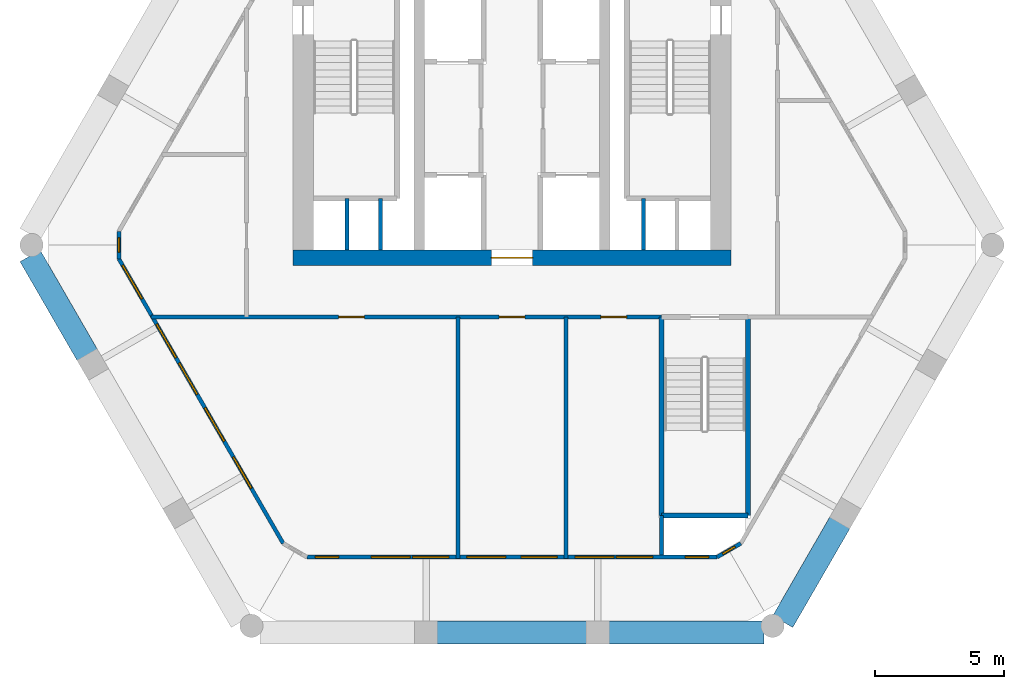
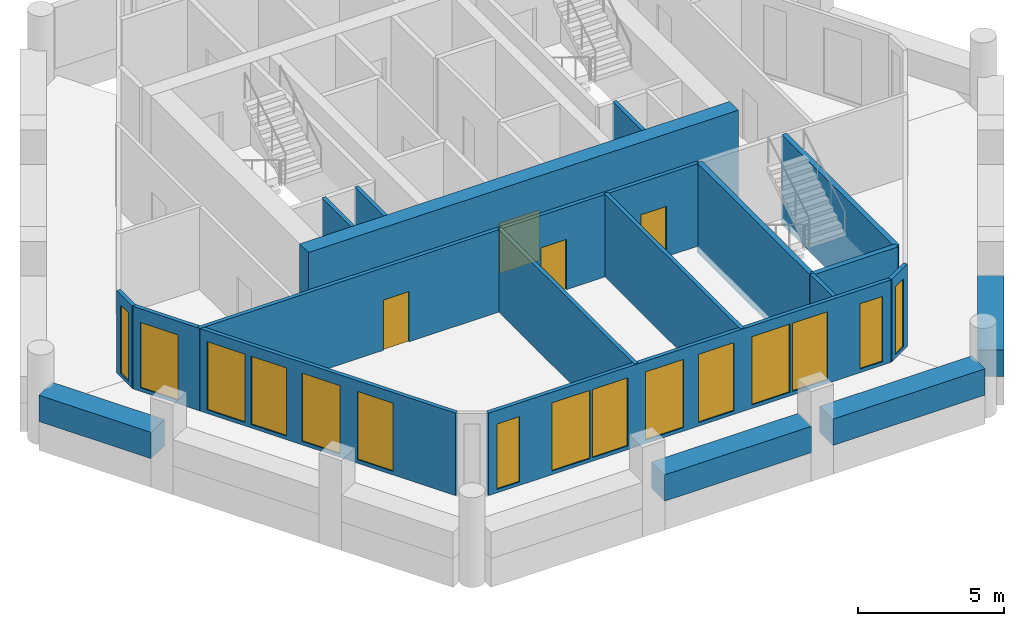
# One storey, part 2 of 6: 19 walls, 15 windows, 4 doors, 19 openings.
"""IFC4 building model written with IfcOpenShell, lengths in metres."""

from ifc_helpers import new_model, si_unit, direction, frame, frame_2d, origin, place, context, subcontext, project, spatial, rectangle, extrude, material, layer, layer_set, type_object, element, fill, save


model = new_model("IFC4")

# Units and contexts
model_context = context("Model", 3, precision=1e-05, world=origin(), true_north=direction((0.0, 1.0)))
body_context = subcontext(model_context, "Body", "Model", "MODEL_VIEW")
ifc_project = project(units=[si_unit("LENGTHUNIT", "METRE"), si_unit("AREAUNIT", "SQUARE_METRE"), si_unit("VOLUMEUNIT", "CUBIC_METRE"), si_unit("PLANEANGLEUNIT", "RADIAN"), si_unit("MASSUNIT", "GRAM", prefix="KILO")], contexts=[model_context])

# Site, building, storey
site_placement = place(None, origin())
site = spatial("IfcSite", under=ifc_project, at=site_placement, CompositionType="ELEMENT")
building_placement = place(site_placement, origin())
building = spatial("IfcBuilding", under=site, at=building_placement, Name="Ostrander Bayou Hotel Tower", CompositionType="ELEMENT")
storey_placement = place(building_placement, frame((0.0, 0.0, 260.0)))
storey = spatial("IfcBuildingStorey", under=building, at=storey_placement, Name="L64", CompositionType="ELEMENT", Elevation=260.0)

# Wall, opening, door
ifc_material_1 = material(Name="Concrete f'c 60 MPa", Category="concrete")
ifc_layer_1 = layer(ifc_material_1, 0.60009765625)
ifc_layer_set_1 = layer_set([ifc_layer_1], Name="CW10 core wall 600 mm f'c 60 MPa")
wall_type_1 = type_object("IfcWallType", Name="CW10 core wall 600 mm f'c 60 MPa", PredefinedType="SHEAR", material=ifc_layer_set_1)
wall_1_placement = place(storey_placement, frame((-8.5, -1.39990234375, -0.300048828125), z_axis=(0.0, 0.0, 1.0), x_axis=(1.0, 0.0, 0.0)))
wall_1 = element("IfcWall", 1, at=wall_1_placement, inside=storey, type_object=wall_type_1, Name="CW10 L64 S", PredefinedType="SHEAR", context=body_context, shape_type="SweptSolid", body=[
    extrude(rectangle(XDim=17.0, YDim=0.60009765625, at=frame_2d((8.5, 0.0))), origin(), (0.0, 0.0, 1.0), 3.75),
])
opening_1_placement = place(wall_1_placement, frame((7.699951171875, 0.0, 0.0)))
opening_1 = element("IfcOpeningElement", 2, at=opening_1_placement, cuts=wall_1, Name="Opening T63-005", PredefinedType="OPENING", context=body_context, shape_type="SweptSolid", body=[
    extrude(rectangle(XDim=1.60009765625, YDim=2.10009765625, at=frame_2d((0.800048828125, 1.050048828125))), frame((0.0, 0.300048828125, 0.0), z_axis=(0.0, -1.0, 0.0), x_axis=(1.0, 0.0, 0.0)), (0.0, 0.0, 1.0), 0.60009765625),
])
ifc_material_2 = material(Name="Timber door leaf", Category="wood")
door_type_1 = type_object("IfcDoorType", Name="D13 double door 1600 x 2100 mm, 1 hour", OperationType="SINGLE_SWING_LEFT", PredefinedType="DOOR", material=ifc_material_2)
door_1_placement = place(opening_1_placement, origin())
door_1 = element("IfcDoor", 3, at=door_1_placement, inside=storey, type_object=door_type_1, Name="dr:L64:005", OperationType="DOUBLE_DOOR_SINGLE_SWING", OverallHeight=2.10009765625, OverallWidth=1.60009765625, PredefinedType="DOOR", context=body_context, shape_type="SweptSolid", body=[
    extrude(rectangle(XDim=1.60009765625, YDim=2.10009765625, at=frame_2d((0.800048828125, 1.050048828125))), frame((0.0, 0.02490234375, 0.0), z_axis=(0.0, -1.0, 0.0), x_axis=(1.0, 0.0, 0.0)), (0.0, 0.0, 1.0), 0.050048828125),
])
fill(opening_1, door_1)

# Wall, openings, windows
ifc_material_3 = material(Name="Aluminium framed insulated wall", Category="aluminium")
ifc_layer_2 = layer(ifc_material_3, 0.14990234375)
ifc_layer_set_2 = layer_set([ifc_layer_2], Name="GW1 glass-line wall 150 mm")
wall_type_2 = type_object("IfcWallType", Name="GW1 glass-line wall 150 mm", PredefinedType="SOLIDWALL", material=ifc_layer_set_2)
wall_2_placement = place(storey_placement, frame((-15.245849609375, -1.443603515625, 0.0), z_axis=(0.0, 0.0, 1.0), x_axis=(0.500005990458, -0.866021945164, 0.0)))
wall_2 = element("IfcWall", 4, at=wall_2_placement, inside=storey, type_object=wall_type_2, Name="GW1 L64 SW 1", PredefinedType="SOLIDWALL", context=body_context, shape_type="SweptSolid", body=[
    extrude(rectangle(XDim=12.745361328125, YDim=0.14990234375, at=frame_2d((6.37255859375, 0.0))), origin(), (0.0, 0.0, 1.0), 3.449951171875),
])
opening_2_placement = place(wall_2_placement, frame((2.9296875, 0.0, 0.14990234375)))
opening_2 = element("IfcOpeningElement", 5, at=opening_2_placement, cuts=wall_2, Name="Opening W4", PredefinedType="OPENING", context=body_context, shape_type="SweptSolid", body=[
    extrude(rectangle(XDim=1.5, YDim=2.85009765625, at=frame_2d((0.75, 1.425048828125))), frame((0.0, 0.074951171875, 0.0), z_axis=(0.0, -1.0, 0.0), x_axis=(1.0, 0.0, 0.0)), (0.0, 0.0, 1.0), 0.14990234375),
])
opening_3_placement = place(wall_2_placement, frame((4.6728515625, 0.0, 0.14990234375)))
opening_3 = element("IfcOpeningElement", 6, at=opening_3_placement, cuts=wall_2, Name="Opening W14", PredefinedType="OPENING", context=body_context, shape_type="SweptSolid", body=[
    extrude(rectangle(XDim=1.39990234375, YDim=2.85009765625, at=frame_2d((0.699951171875, 1.425048828125))), frame((0.0, 0.074951171875, 0.0), z_axis=(0.0, -1.0, 0.0), x_axis=(1.0, 0.0, 0.0)), (0.0, 0.0, 1.0), 0.14990234375),
])
opening_4_placement = place(wall_2_placement, frame((6.6728515625, 0.0, 0.14990234375)))
opening_4 = element("IfcOpeningElement", 7, at=opening_4_placement, cuts=wall_2, Name="Opening W4", PredefinedType="OPENING", context=body_context, shape_type="SweptSolid", body=[
    extrude(rectangle(XDim=1.5, YDim=2.85009765625, at=frame_2d((0.75, 1.425048828125))), frame((0.0, 0.074951171875, 0.0), z_axis=(0.0, -1.0, 0.0), x_axis=(1.0, 0.0, 0.0)), (0.0, 0.0, 1.0), 0.14990234375),
])
opening_5_placement = place(wall_2_placement, frame((8.872802734375, 0.0, 0.14990234375)))
opening_5 = element("IfcOpeningElement", 8, at=opening_5_placement, cuts=wall_2, Name="Opening W14", PredefinedType="OPENING", context=body_context, shape_type="SweptSolid", body=[
    extrude(rectangle(XDim=1.39990234375, YDim=2.85009765625, at=frame_2d((0.699951171875, 1.425048828125))), frame((0.0, 0.074951171875, 0.0), z_axis=(0.0, -1.0, 0.0), x_axis=(1.0, 0.0, 0.0)), (0.0, 0.0, 1.0), 0.14990234375),
])
opening_6_placement = place(wall_2_placement, frame((0.286376953125, 0.0, 0.14990234375)))
opening_6 = element("IfcOpeningElement", 9, at=opening_6_placement, cuts=wall_2, Name="Opening W4", PredefinedType="OPENING", context=body_context, shape_type="SweptSolid", body=[
    extrude(rectangle(XDim=1.5, YDim=2.72998046875, at=frame_2d((0.75, 1.364990234375))), frame((0.0, 0.074951171875, 0.0), z_axis=(0.0, -1.0, 0.0), x_axis=(1.0, 0.0, 0.0)), (0.0, 0.0, 1.0), 0.14990234375),
])
ifc_material_4 = material(Name="Aluminium and clear glass", Category="aluminium")
window_type_1 = type_object("IfcWindowType", Name="W14 fixed window 1400 mm, bath bay, zone 4", PartitioningType="SINGLE_PANEL", PredefinedType="WINDOW", material=ifc_material_4)
window_1_placement = place(opening_3_placement, origin())
window_1 = element("IfcWindow", 10, at=window_1_placement, inside=storey, type_object=window_type_1, Name="W14 L64 SW 1", OverallHeight=2.85009765625, OverallWidth=1.39990234375, PartitioningType="SINGLE_PANEL", PredefinedType="WINDOW", context=body_context, shape_type="SweptSolid", body=[
    extrude(rectangle(XDim=1.39990234375, YDim=2.85009765625, at=frame_2d((0.699951171875, 1.425048828125))), frame((0.0, 0.030029296875, 0.0), z_axis=(0.0, -1.0, 0.0), x_axis=(1.0, 0.0, 0.0)), (0.0, 0.0, 1.0), 0.06005859375),
])
fill(opening_3, window_1)
window_2_placement = place(opening_5_placement, origin())
window_2 = element("IfcWindow", 11, at=window_2_placement, inside=storey, type_object=window_type_1, Name="W14 L64 SW 2", OverallHeight=2.85009765625, OverallWidth=1.39990234375, PartitioningType="SINGLE_PANEL", PredefinedType="WINDOW", context=body_context, shape_type="SweptSolid", body=[
    extrude(rectangle(XDim=1.39990234375, YDim=2.85009765625, at=frame_2d((0.699951171875, 1.425048828125))), frame((0.0, 0.030029296875, 0.0), z_axis=(0.0, -1.0, 0.0), x_axis=(1.0, 0.0, 0.0)), (0.0, 0.0, 1.0), 0.06005859375),
])
fill(opening_5, window_2)
ifc_material_5 = material(Name="Aluminium and clear glass", Category="aluminium")
window_type_2 = type_object("IfcWindowType", Name="W4 fixed window 1500 mm, zone 4", PartitioningType="SINGLE_PANEL", PredefinedType="WINDOW", material=ifc_material_5)
window_3_placement = place(opening_2_placement, origin())
window_3 = element("IfcWindow", 12, at=window_3_placement, inside=storey, type_object=window_type_2, Name="W4 L64 SW 1", OverallHeight=2.85009765625, OverallWidth=1.5, PartitioningType="SINGLE_PANEL", PredefinedType="WINDOW", context=body_context, shape_type="SweptSolid", body=[
    extrude(rectangle(XDim=1.5, YDim=2.85009765625, at=frame_2d((0.75, 1.425048828125))), frame((0.0, 0.030029296875, 0.0), z_axis=(0.0, -1.0, 0.0), x_axis=(1.0, 0.0, 0.0)), (0.0, 0.0, 1.0), 0.06005859375),
])
fill(opening_2, window_3)
window_4_placement = place(opening_4_placement, origin())
window_4 = element("IfcWindow", 13, at=window_4_placement, inside=storey, type_object=window_type_2, Name="W4 L64 SW 2", OverallHeight=2.85009765625, OverallWidth=1.5, PartitioningType="SINGLE_PANEL", PredefinedType="WINDOW", context=body_context, shape_type="SweptSolid", body=[
    extrude(rectangle(XDim=1.5, YDim=2.85009765625, at=frame_2d((0.75, 1.425048828125))), frame((0.0, 0.030029296875, 0.0), z_axis=(0.0, -1.0, 0.0), x_axis=(1.0, 0.0, 0.0)), (0.0, 0.0, 1.0), 0.06005859375),
])
fill(opening_4, window_4)
window_5_placement = place(opening_6_placement, origin())
window_5 = element("IfcWindow", 14, at=window_5_placement, inside=storey, type_object=window_type_2, Name="W4 L64 SW E11", OverallHeight=2.72998046875, OverallWidth=1.5, PartitioningType="SINGLE_PANEL", PredefinedType="WINDOW", context=body_context, shape_type="SweptSolid", body=[
    extrude(rectangle(XDim=1.5, YDim=2.72998046875, at=frame_2d((0.75, 1.364990234375))), frame((0.0, 0.030029296875, 0.0), z_axis=(0.0, -1.0, 0.0), x_axis=(1.0, 0.0, 0.0)), (0.0, 0.0, 1.0), 0.06005859375),
])
fill(opening_6, window_5)

wall_3_placement = place(storey_placement, frame((-7.95068359375, -13.013916015625, 0.0), z_axis=(0.0, 0.0, 1.0), x_axis=(1.0, 0.0, 0.0)))
wall_3 = element("IfcWall", 15, at=wall_3_placement, inside=storey, type_object=wall_type_2, Name="GW1 L64 S 1", PredefinedType="SOLIDWALL", context=body_context, shape_type="SweptSolid", body=[
    extrude(rectangle(XDim=15.9013671875, YDim=0.14990234375, at=frame_2d((7.95068359375, 0.0))), origin(), (0.0, 0.0, 1.0), 3.449951171875),
])
opening_7_placement = place(wall_3_placement, frame((2.500732421875, 0.0, 0.14990234375)))
opening_7 = element("IfcOpeningElement", 16, at=opening_7_placement, cuts=wall_3, Name="Opening W4", PredefinedType="OPENING", context=body_context, shape_type="SweptSolid", body=[
    extrude(rectangle(XDim=1.5, YDim=2.85009765625, at=frame_2d((0.75, 1.425048828125))), frame((0.0, 0.074951171875, 0.0), z_axis=(0.0, -1.0, 0.0), x_axis=(1.0, 0.0, 0.0)), (0.0, 0.0, 1.0), 0.14990234375),
])
opening_8_placement = place(wall_3_placement, frame((4.1005859375, 0.0, 0.14990234375)))
opening_8 = element("IfcOpeningElement", 17, at=opening_8_placement, cuts=wall_3, Name="Opening W14", PredefinedType="OPENING", context=body_context, shape_type="SweptSolid", body=[
    extrude(rectangle(XDim=1.39990234375, YDim=2.85009765625, at=frame_2d((0.699951171875, 1.425048828125))), frame((0.0, 0.074951171875, 0.0), z_axis=(0.0, -1.0, 0.0), x_axis=(1.0, 0.0, 0.0)), (0.0, 0.0, 1.0), 0.14990234375),
])
opening_9_placement = place(wall_3_placement, frame((6.20068359375, 0.0, 0.14990234375)))
opening_9 = element("IfcOpeningElement", 18, at=opening_9_placement, cuts=wall_3, Name="Opening W4", PredefinedType="OPENING", context=body_context, shape_type="SweptSolid", body=[
    extrude(rectangle(XDim=1.5, YDim=2.85009765625, at=frame_2d((0.75, 1.425048828125))), frame((0.0, 0.074951171875, 0.0), z_axis=(0.0, -1.0, 0.0), x_axis=(1.0, 0.0, 0.0)), (0.0, 0.0, 1.0), 0.14990234375),
])
opening_10_placement = place(wall_3_placement, frame((8.30078125, 0.0, 0.14990234375)))
opening_10 = element("IfcOpeningElement", 19, at=opening_10_placement, cuts=wall_3, Name="Opening W14", PredefinedType="OPENING", context=body_context, shape_type="SweptSolid", body=[
    extrude(rectangle(XDim=1.39990234375, YDim=2.85009765625, at=frame_2d((0.699951171875, 1.425048828125))), frame((0.0, 0.074951171875, 0.0), z_axis=(0.0, -1.0, 0.0), x_axis=(1.0, 0.0, 0.0)), (0.0, 0.0, 1.0), 0.14990234375),
])
opening_11_placement = place(wall_3_placement, frame((10.400634765625, 0.0, 0.14990234375)))
opening_11 = element("IfcOpeningElement", 20, at=opening_11_placement, cuts=wall_3, Name="Opening W4", PredefinedType="OPENING", context=body_context, shape_type="SweptSolid", body=[
    extrude(rectangle(XDim=1.5, YDim=2.85009765625, at=frame_2d((0.75, 1.425048828125))), frame((0.0, 0.074951171875, 0.0), z_axis=(0.0, -1.0, 0.0), x_axis=(1.0, 0.0, 0.0)), (0.0, 0.0, 1.0), 0.14990234375),
])
opening_12_placement = place(wall_3_placement, frame((12.000732421875, 0.0, 0.14990234375)))
opening_12 = element("IfcOpeningElement", 21, at=opening_12_placement, cuts=wall_3, Name="Opening W14", PredefinedType="OPENING", context=body_context, shape_type="SweptSolid", body=[
    extrude(rectangle(XDim=1.39990234375, YDim=2.85009765625, at=frame_2d((0.699951171875, 1.425048828125))), frame((0.0, 0.074951171875, 0.0), z_axis=(0.0, -1.0, 0.0), x_axis=(1.0, 0.0, 0.0)), (0.0, 0.0, 1.0), 0.14990234375),
])
opening_13_placement = place(wall_3_placement, frame((0.3251953125, 0.0, 0.14990234375)))
opening_13 = element("IfcOpeningElement", 22, at=opening_13_placement, cuts=wall_3, Name="Opening W18", PredefinedType="OPENING", context=body_context, shape_type="SweptSolid", body=[
    extrude(rectangle(XDim=0.89990234375, YDim=2.72998046875, at=frame_2d((0.449951171875, 1.364990234375))), frame((0.0, 0.074951171875, 0.0), z_axis=(0.0, -1.0, 0.0), x_axis=(1.0, 0.0, 0.0)), (0.0, 0.0, 1.0), 0.14990234375),
])
opening_14_placement = place(wall_3_placement, frame((14.676025390625, 0.0, 0.14990234375)))
opening_14 = element("IfcOpeningElement", 23, at=opening_14_placement, cuts=wall_3, Name="Opening W18", PredefinedType="OPENING", context=body_context, shape_type="SweptSolid", body=[
    extrude(rectangle(XDim=0.89990234375, YDim=2.72998046875, at=frame_2d((0.449951171875, 1.364990234375))), frame((0.0, 0.074951171875, 0.0), z_axis=(0.0, -1.0, 0.0), x_axis=(1.0, 0.0, 0.0)), (0.0, 0.0, 1.0), 0.14990234375),
])
window_6_placement = place(opening_8_placement, origin())
window_6 = element("IfcWindow", 24, at=window_6_placement, inside=storey, type_object=window_type_1, Name="W14 L64 S 1", OverallHeight=2.85009765625, OverallWidth=1.39990234375, PartitioningType="SINGLE_PANEL", PredefinedType="WINDOW", context=body_context, shape_type="SweptSolid", body=[
    extrude(rectangle(XDim=1.39990234375, YDim=2.85009765625, at=frame_2d((0.699951171875, 1.425048828125))), frame((0.0, 0.030029296875, 0.0), z_axis=(0.0, -1.0, 0.0), x_axis=(1.0, 0.0, 0.0)), (0.0, 0.0, 1.0), 0.06005859375),
])
fill(opening_8, window_6)
window_7_placement = place(opening_10_placement, origin())
window_7 = element("IfcWindow", 25, at=window_7_placement, inside=storey, type_object=window_type_1, Name="W14 L64 S 2", OverallHeight=2.85009765625, OverallWidth=1.39990234375, PartitioningType="SINGLE_PANEL", PredefinedType="WINDOW", context=body_context, shape_type="SweptSolid", body=[
    extrude(rectangle(XDim=1.39990234375, YDim=2.85009765625, at=frame_2d((0.699951171875, 1.425048828125))), frame((0.0, 0.030029296875, 0.0), z_axis=(0.0, -1.0, 0.0), x_axis=(1.0, 0.0, 0.0)), (0.0, 0.0, 1.0), 0.06005859375),
])
fill(opening_10, window_7)
window_8_placement = place(opening_12_placement, origin())
window_8 = element("IfcWindow", 26, at=window_8_placement, inside=storey, type_object=window_type_1, Name="W14 L64 S 3", OverallHeight=2.85009765625, OverallWidth=1.39990234375, PartitioningType="SINGLE_PANEL", PredefinedType="WINDOW", context=body_context, shape_type="SweptSolid", body=[
    extrude(rectangle(XDim=1.39990234375, YDim=2.85009765625, at=frame_2d((0.699951171875, 1.425048828125))), frame((0.0, 0.030029296875, 0.0), z_axis=(0.0, -1.0, 0.0), x_axis=(1.0, 0.0, 0.0)), (0.0, 0.0, 1.0), 0.06005859375),
])
fill(opening_12, window_8)
ifc_material_6 = material(Name="Aluminium and clear glass", Category="aluminium")
window_type_3 = type_object("IfcWindowType", Name="W18 window 900 mm, zone 4", PartitioningType="SINGLE_PANEL", PredefinedType="WINDOW", material=ifc_material_6)
window_9_placement = place(opening_13_placement, origin())
window_9 = element("IfcWindow", 27, at=window_9_placement, inside=storey, type_object=window_type_3, Name="W18 L64 S E11", OverallHeight=2.72998046875, OverallWidth=0.89990234375, PartitioningType="SINGLE_PANEL", PredefinedType="WINDOW", context=body_context, shape_type="SweptSolid", body=[
    extrude(rectangle(XDim=0.89990234375, YDim=2.72998046875, at=frame_2d((0.449951171875, 1.364990234375))), frame((0.0, 0.030029296875, 0.0), z_axis=(0.0, -1.0, 0.0), x_axis=(1.0, 0.0, 0.0)), (0.0, 0.0, 1.0), 0.06005859375),
])
fill(opening_13, window_9)
window_10_placement = place(opening_14_placement, origin())
window_10 = element("IfcWindow", 28, at=window_10_placement, inside=storey, type_object=window_type_3, Name="W18 L64 S E21", OverallHeight=2.72998046875, OverallWidth=0.89990234375, PartitioningType="SINGLE_PANEL", PredefinedType="WINDOW", context=body_context, shape_type="SweptSolid", body=[
    extrude(rectangle(XDim=0.89990234375, YDim=2.72998046875, at=frame_2d((0.449951171875, 1.364990234375))), frame((0.0, 0.030029296875, 0.0), z_axis=(0.0, -1.0, 0.0), x_axis=(1.0, 0.0, 0.0)), (0.0, 0.0, 1.0), 0.06005859375),
])
fill(opening_14, window_10)
window_11_placement = place(opening_7_placement, origin())
window_11 = element("IfcWindow", 29, at=window_11_placement, inside=storey, type_object=window_type_2, Name="W4 L64 S 1", OverallHeight=2.85009765625, OverallWidth=1.5, PartitioningType="SINGLE_PANEL", PredefinedType="WINDOW", context=body_context, shape_type="SweptSolid", body=[
    extrude(rectangle(XDim=1.5, YDim=2.85009765625, at=frame_2d((0.75, 1.425048828125))), frame((0.0, 0.030029296875, 0.0), z_axis=(0.0, -1.0, 0.0), x_axis=(1.0, 0.0, 0.0)), (0.0, 0.0, 1.0), 0.06005859375),
])
fill(opening_7, window_11)
window_12_placement = place(opening_9_placement, origin())
window_12 = element("IfcWindow", 30, at=window_12_placement, inside=storey, type_object=window_type_2, Name="W4 L64 S 2", OverallHeight=2.85009765625, OverallWidth=1.5, PartitioningType="SINGLE_PANEL", PredefinedType="WINDOW", context=body_context, shape_type="SweptSolid", body=[
    extrude(rectangle(XDim=1.5, YDim=2.85009765625, at=frame_2d((0.75, 1.425048828125))), frame((0.0, 0.030029296875, 0.0), z_axis=(0.0, -1.0, 0.0), x_axis=(1.0, 0.0, 0.0)), (0.0, 0.0, 1.0), 0.06005859375),
])
fill(opening_9, window_12)
window_13_placement = place(opening_11_placement, origin())
window_13 = element("IfcWindow", 31, at=window_13_placement, inside=storey, type_object=window_type_2, Name="W4 L64 S 3", OverallHeight=2.85009765625, OverallWidth=1.5, PartitioningType="SINGLE_PANEL", PredefinedType="WINDOW", context=body_context, shape_type="SweptSolid", body=[
    extrude(rectangle(XDim=1.5, YDim=2.85009765625, at=frame_2d((0.75, 1.425048828125))), frame((0.0, 0.030029296875, 0.0), z_axis=(0.0, -1.0, 0.0), x_axis=(1.0, 0.0, 0.0)), (0.0, 0.0, 1.0), 0.06005859375),
])
fill(opening_11, window_13)

# Wall, opening, window
wall_4_placement = place(storey_placement, frame((-15.245849609375, -0.37841796875, 0.0), z_axis=(0.0, 0.0, 1.0), x_axis=(0.0, -1.0, 0.0)))
wall_4 = element("IfcWall", 32, at=wall_4_placement, inside=storey, type_object=wall_type_2, Name="GW1 L64 corner 2", PredefinedType="SOLIDWALL", context=body_context, shape_type="SweptSolid", body=[
    extrude(rectangle(XDim=1.065185546875, YDim=0.14990234375, at=frame_2d((0.53271484375, 0.0))), origin(), (0.0, 0.0, 1.0), 3.449951171875),
])
opening_15_placement = place(wall_4_placement, frame((0.257568359375, 0.0, 0.14990234375)))
opening_15 = element("IfcOpeningElement", 33, at=opening_15_placement, cuts=wall_4, Name="Opening W19", PredefinedType="OPENING", context=body_context, shape_type="SweptSolid", body=[
    extrude(rectangle(XDim=0.550048828125, YDim=2.85009765625, at=frame_2d((0.27490234375, 1.425048828125))), frame((0.0, 0.074951171875, 0.0), z_axis=(0.0, -1.0, 0.0), x_axis=(1.0, 0.0, 0.0)), (0.0, 0.0, 1.0), 0.14990234375),
])
ifc_material_7 = material(Name="Aluminium and clear glass", Category="aluminium")
window_type_4 = type_object("IfcWindowType", Name="W19 corner window 550 mm", PartitioningType="SINGLE_PANEL", PredefinedType="WINDOW", material=ifc_material_7)
window_14_placement = place(opening_15_placement, origin())
window_14 = element("IfcWindow", 34, at=window_14_placement, inside=storey, type_object=window_type_4, Name="W19 L64 corner 2", OverallHeight=2.85009765625, OverallWidth=0.550048828125, PartitioningType="SINGLE_PANEL", PredefinedType="WINDOW", context=body_context, shape_type="SweptSolid", body=[
    extrude(rectangle(XDim=0.550048828125, YDim=2.85009765625, at=frame_2d((0.27490234375, 1.425048828125))), frame((0.0, 0.030029296875, 0.0), z_axis=(0.0, -1.0, 0.0), x_axis=(1.0, 0.0, 0.0)), (0.0, 0.0, 1.0), 0.06005859375),
])
fill(opening_15, window_14)

wall_5_placement = place(storey_placement, frame((7.95068359375, -13.013916015625, 0.0), z_axis=(0.0, 0.0, 1.0), x_axis=(0.866048165231, 0.499960573946, 0.0)))
wall_5 = element("IfcWall", 35, at=wall_5_placement, inside=storey, type_object=wall_type_2, Name="GW1 L64 corner 4", PredefinedType="SOLIDWALL", context=body_context, shape_type="SweptSolid", body=[
    extrude(rectangle(XDim=1.06494140625, YDim=0.14990234375, at=frame_2d((0.532470703125, 0.0))), origin(), (0.0, 0.0, 1.0), 3.449951171875),
])
opening_16_placement = place(wall_5_placement, frame((0.257568359375, 0.0, 0.14990234375)))
opening_16 = element("IfcOpeningElement", 36, at=opening_16_placement, cuts=wall_5, Name="Opening W19", PredefinedType="OPENING", context=body_context, shape_type="SweptSolid", body=[
    extrude(rectangle(XDim=0.550048828125, YDim=2.85009765625, at=frame_2d((0.27490234375, 1.425048828125))), frame((0.0, 0.074951171875, 0.0), z_axis=(0.0, -1.0, 0.0), x_axis=(1.0, 0.0, 0.0)), (0.0, 0.0, 1.0), 0.14990234375),
])
window_15_placement = place(opening_16_placement, origin())
window_15 = element("IfcWindow", 37, at=window_15_placement, inside=storey, type_object=window_type_4, Name="W19 L64 corner 4", OverallHeight=2.85009765625, OverallWidth=0.550048828125, PartitioningType="SINGLE_PANEL", PredefinedType="WINDOW", context=body_context, shape_type="SweptSolid", body=[
    extrude(rectangle(XDim=0.550048828125, YDim=2.85009765625, at=frame_2d((0.27490234375, 1.425048828125))), frame((0.0, 0.030029296875, 0.0), z_axis=(0.0, -1.0, 0.0), x_axis=(1.0, 0.0, 0.0)), (0.0, 0.0, 1.0), 0.06005859375),
])
fill(opening_16, window_15)

# Walls
ifc_material_8 = material(Name="Concrete f'c 40 MPa", Category="concrete")
ifc_layer_3 = layer(ifc_material_8, 0.89990234375)
ifc_layer_set_3 = layer_set([ifc_layer_3], Name="PA1 stone-faced parapet 900 mm")
wall_type_3 = type_object("IfcWallType", Name="PA1 stone-faced parapet 900 mm", PredefinedType="PARAPET", material=ifc_layer_set_3)
wall_6_placement = place(storey_placement, frame((-2.909423828125, -15.93896484375, 0.0), z_axis=(0.0, 0.0, 1.0), x_axis=(1.0, 0.0, 0.0)))
element("IfcWall", 38, at=wall_6_placement, inside=storey, type_object=wall_type_3, Name="PA1 L64 S-2", PredefinedType="PARAPET", context=body_context, shape_type="SweptSolid", body=[
    extrude(rectangle(XDim=5.81884765625, YDim=0.89990234375, at=frame_2d((2.909423828125, 0.0))), origin(), (0.0, 0.0, 1.0), 1.10009765625),
])
wall_7_placement = place(storey_placement, frame((3.74951171875, -15.93896484375, 0.0), z_axis=(0.0, 0.0, 1.0), x_axis=(1.0, 0.0, 0.0)))
element("IfcWall", 39, at=wall_7_placement, inside=storey, type_object=wall_type_3, Name="PA1 L64 S-3", PredefinedType="PARAPET", context=body_context, shape_type="SweptSolid", body=[
    extrude(rectangle(XDim=6.017578125, YDim=0.89990234375, at=frame_2d((3.0087890625, 0.0))), origin(), (0.0, 0.0, 1.0), 1.10009765625),
])
ifc_material_9 = material(Name="Limestone masonry", Category="masonry")
ifc_layer_4 = layer(ifc_material_9, 0.89990234375)
ifc_layer_set_4 = layer_set([ifc_layer_4], Name="PA2 limestone parapet 900 mm")
wall_type_4 = type_object("IfcWallType", Name="PA2 limestone parapet 900 mm", PredefinedType="PARAPET", material=ifc_layer_set_4)
wall_8_placement = place(storey_placement, frame((-18.68701171875, -1.3330078125, 0.0), z_axis=(0.0, 0.0, 1.0), x_axis=(0.499971567444, -0.866041818706, 0.0)))
element("IfcWall", 40, at=wall_8_placement, inside=storey, type_object=wall_type_4, Name="PA2 L64 SW-1", PredefinedType="PARAPET", context=body_context, shape_type="SweptSolid", body=[
    extrude(rectangle(XDim=4.439697265625, YDim=0.89990234375, at=frame_2d((2.2197265625, 0.0))), origin(), (0.0, 0.0, 1.0), 1.10009765625),
])
wall_9_placement = place(storey_placement, frame((10.497802734375, -15.51708984375, 0.0), z_axis=(0.0, 0.0, 1.0), x_axis=(0.500012810012, 0.866018007794, 0.0)))
element("IfcWall", 41, at=wall_9_placement, inside=storey, type_object=wall_type_4, Name="PA2 L64 SE-1", PredefinedType="PARAPET", context=body_context, shape_type="SweptSolid", body=[
    extrude(rectangle(XDim=4.43994140625, YDim=0.89990234375, at=frame_2d((2.219970703125, 0.0))), origin(), (0.0, 0.0, 1.0), 1.10009765625),
])
ifc_material_10 = material(Name="Gypsum board partition", Category="finish")
ifc_layer_5 = layer(ifc_material_10, 0.14990234375)
ifc_layer_set_5 = layer_set([ifc_layer_5], Name="PT7 riser wall 150 mm, 2 hour")
wall_type_5 = type_object("IfcWallType", Name="PT7 riser wall 150 mm, 2 hour", PredefinedType="PARTITIONING", material=ifc_layer_set_5)
for number, where, z_axis, x_axis, name in (
    (42, (-6.39990234375, -1.10009765625, 0.0), (0.0, 0.0, 1.0), (0.0, 1.0, 0.0), "cs:L64:011"),
    (43, (-5.10009765625, -1.10009765625, 0.0), (0.0, 0.0, 1.0), (0.0, 1.0, 0.0), "cs:L64:012"),
    (44, (5.10009765625, -1.10009765625, 0.0), (0.0, 0.0, 1.0), (0.0, 1.0, 0.0), "cs:L64:015"),
):
    element("IfcWall", number, at=place(storey_placement, frame(where, z_axis=z_axis, x_axis=x_axis)), inside=storey, type_object=wall_type_5, Name=name, PredefinedType="PARTITIONING", context=body_context, shape_type="SweptSolid", body=[
        extrude(rectangle(XDim=2.0, YDim=0.14990234375, at=frame_2d((1.0, 0.0))), origin(), (0.0, 0.0, 1.0), 3.449951171875),
    ])
wall_10_placement = place(storey_placement, frame((5.800048828125, -11.39990234375, 0.0), z_axis=(0.0, 0.0, 1.0), x_axis=(0.0, -1.0, 0.0)))
element("IfcWall", 45, at=wall_10_placement, inside=storey, type_object=wall_type_5, Name="cs:L64:021", PredefinedType="PARTITIONING", context=body_context, shape_type="SweptSolid", body=[
    extrude(rectangle(XDim=1.5390625, YDim=0.14990234375, at=frame_2d((0.76953125, 0.0))), origin(), (0.0, 0.0, 1.0), 3.449951171875),
])

# Wall, openings, doors
ifc_material_11 = material(Name="Gypsum board partition", Category="finish")
ifc_layer_6 = layer(ifc_material_11, 0.14990234375)
ifc_layer_set_6 = layer_set([ifc_layer_6], Name="PT8 service band wall 150 mm, 1 hour")
wall_type_6 = type_object("IfcWallType", Name="PT8 service band wall 150 mm, 1 hour", PredefinedType="PARTITIONING", material=ifc_layer_set_6)
wall_11_placement = place(storey_placement, frame((-13.9951171875, -3.699951171875, 0.0), z_axis=(0.0, 0.0, 1.0), x_axis=(1.0, 0.0, 0.0)))
wall_11 = element("IfcWall", 46, at=wall_11_placement, inside=storey, type_object=wall_type_6, Name="gw:L64:001", PredefinedType="PARTITIONING", context=body_context, shape_type="SweptSolid", body=[
    extrude(rectangle(XDim=19.78515625, YDim=0.14990234375, at=frame_2d((9.892578125, 0.0))), origin(), (0.0, 0.0, 1.0), 3.449951171875),
])
opening_17_placement = place(wall_11_placement, frame((13.4951171875, 0.0, 0.0)))
opening_17 = element("IfcOpeningElement", 47, at=opening_17_placement, cuts=wall_11, Name="Opening T63-400", PredefinedType="OPENING", context=body_context, shape_type="SweptSolid", body=[
    extrude(rectangle(XDim=1.0, YDim=2.10009765625, at=frame_2d((0.5, 1.050048828125))), frame((0.0, 0.074951171875, 0.0), z_axis=(0.0, -1.0, 0.0), x_axis=(1.0, 0.0, 0.0)), (0.0, 0.0, 1.0), 0.14990234375),
])
opening_18_placement = place(wall_11_placement, frame((7.27001953125, 0.0, 0.0)))
opening_18 = element("IfcOpeningElement", 48, at=opening_18_placement, cuts=wall_11, Name="Opening T63-401", PredefinedType="OPENING", context=body_context, shape_type="SweptSolid", body=[
    extrude(rectangle(XDim=1.0, YDim=2.10009765625, at=frame_2d((0.5, 1.050048828125))), frame((0.0, 0.074951171875, 0.0), z_axis=(0.0, -1.0, 0.0), x_axis=(1.0, 0.0, 0.0)), (0.0, 0.0, 1.0), 0.14990234375),
])
opening_19_placement = place(wall_11_placement, frame((17.445068359375, 0.0, 0.0)))
opening_19 = element("IfcOpeningElement", 49, at=opening_19_placement, cuts=wall_11, Name="Opening T63-402", PredefinedType="OPENING", context=body_context, shape_type="SweptSolid", body=[
    extrude(rectangle(XDim=1.0, YDim=2.10009765625, at=frame_2d((0.5, 1.050048828125))), frame((0.0, 0.074951171875, 0.0), z_axis=(0.0, -1.0, 0.0), x_axis=(1.0, 0.0, 0.0)), (0.0, 0.0, 1.0), 0.14990234375),
])
ifc_material_12 = material(Name="Timber door leaf", Category="wood")
door_type_2 = type_object("IfcDoorType", Name="D15 room door 1000 x 2100 mm", OperationType="SINGLE_SWING_LEFT", PredefinedType="DOOR", material=ifc_material_12)
door_2_placement = place(opening_17_placement, origin())
door_2 = element("IfcDoor", 50, at=door_2_placement, inside=storey, type_object=door_type_2, Name="dr:L64:400", OperationType="SINGLE_SWING_LEFT", OverallHeight=2.10009765625, OverallWidth=1.0, PredefinedType="DOOR", context=body_context, shape_type="SweptSolid", body=[
    extrude(rectangle(XDim=1.0, YDim=2.10009765625, at=frame_2d((0.5, 1.050048828125))), frame((0.0, 0.02490234375, 0.0), z_axis=(0.0, -1.0, 0.0), x_axis=(1.0, 0.0, 0.0)), (0.0, 0.0, 1.0), 0.050048828125),
])
fill(opening_17, door_2)
door_3_placement = place(opening_18_placement, origin())
door_3 = element("IfcDoor", 51, at=door_3_placement, inside=storey, type_object=door_type_2, Name="dr:L64:401", OperationType="SINGLE_SWING_RIGHT", OverallHeight=2.10009765625, OverallWidth=1.0, PredefinedType="DOOR", context=body_context, shape_type="SweptSolid", body=[
    extrude(rectangle(XDim=1.0, YDim=2.10009765625, at=frame_2d((0.5, 1.050048828125))), frame((0.0, 0.02490234375, 0.0), z_axis=(0.0, -1.0, 0.0), x_axis=(1.0, 0.0, 0.0)), (0.0, 0.0, 1.0), 0.050048828125),
])
fill(opening_18, door_3)
ifc_material_13 = material(Name="Timber door leaf", Category="wood")
door_type_3 = type_object("IfcDoorType", Name="D9 service door 1000 x 2100 mm, 30 minute", OperationType="SINGLE_SWING_LEFT", PredefinedType="DOOR", material=ifc_material_13)
door_4_placement = place(opening_19_placement, origin())
door_4 = element("IfcDoor", 52, at=door_4_placement, inside=storey, type_object=door_type_3, Name="dr:L64:402", OperationType="SINGLE_SWING_LEFT", OverallHeight=2.10009765625, OverallWidth=1.0, PredefinedType="DOOR", context=body_context, shape_type="SweptSolid", body=[
    extrude(rectangle(XDim=1.0, YDim=2.10009765625, at=frame_2d((0.5, 1.050048828125))), frame((0.0, 0.02490234375, 0.0), z_axis=(0.0, -1.0, 0.0), x_axis=(1.0, 0.0, 0.0)), (0.0, 0.0, 1.0), 0.050048828125),
])
fill(opening_19, door_4)

# Walls
for number, where, z_axis, x_axis, name in (
    (53, (2.10009765625, -13.05908203125, 0.0), (0.0, 0.0, 1.0), (0.0, 1.0, 0.0), "gw:L64:007"),
    (54, (-2.10009765625, -13.05908203125, 0.0), (0.0, 0.0, 1.0), (0.0, 1.0, 0.0), "gw:L64:008"),
):
    element("IfcWall", number, at=place(storey_placement, frame(where, z_axis=z_axis, x_axis=x_axis)), inside=storey, type_object=wall_type_6, Name=name, PredefinedType="PARTITIONING", context=body_context, shape_type="SweptSolid", body=[
        extrude(rectangle(XDim=9.359130859375, YDim=0.14990234375, at=frame_2d((4.6796875, 0.0))), origin(), (0.0, 0.0, 1.0), 3.449951171875),
    ])
ifc_material_14 = material(Name="Concrete f'c 45 MPa", Category="concrete")
ifc_layer_7 = layer(ifc_material_14, 0.199951171875)
ifc_layer_set_7 = layer_set([ifc_layer_7], Name="SW5 stair enclosure wall 200 mm f'c 45 MPa")
wall_type_7 = type_object("IfcWallType", Name="SW5 stair enclosure wall 200 mm f'c 45 MPa", PredefinedType="SOLIDWALL", material=ifc_layer_set_7)
for number, where, z_axis, x_axis, name in (
    (55, (5.800048828125, -3.699951171875, -0.300048828125), (0.0, 0.0, 1.0), (0.0, -1.0, 0.0), "cs:L64:018"),
    (56, (9.14990234375, -3.699951171875, -0.300048828125), (0.0, 0.0, 1.0), (0.0, -1.0, 0.0), "cs:L64:019"),
):
    element("IfcWall", number, at=place(storey_placement, frame(where, z_axis=z_axis, x_axis=x_axis)), inside=storey, type_object=wall_type_7, Name=name, PredefinedType="SOLIDWALL", context=body_context, shape_type="SweptSolid", body=[
        extrude(rectangle(XDim=7.699951171875, YDim=0.199951171875, at=frame_2d((3.85009765625, 0.0))), origin(), (0.0, 0.0, 1.0), 3.75),
    ])
wall_12_placement = place(storey_placement, frame((5.800048828125, -11.39990234375, -0.300048828125), z_axis=(0.0, 0.0, 1.0), x_axis=(1.0, 0.0, 0.0)))
element("IfcWall", 57, at=wall_12_placement, inside=storey, type_object=wall_type_7, Name="cs:L64:020", PredefinedType="SOLIDWALL", context=body_context, shape_type="SweptSolid", body=[
    extrude(rectangle(XDim=3.349853515625, YDim=0.199951171875, at=frame_2d((1.6748046875, 0.0))), origin(), (0.0, 0.0, 1.0), 3.75),
])

save(model, "model.ifc")
